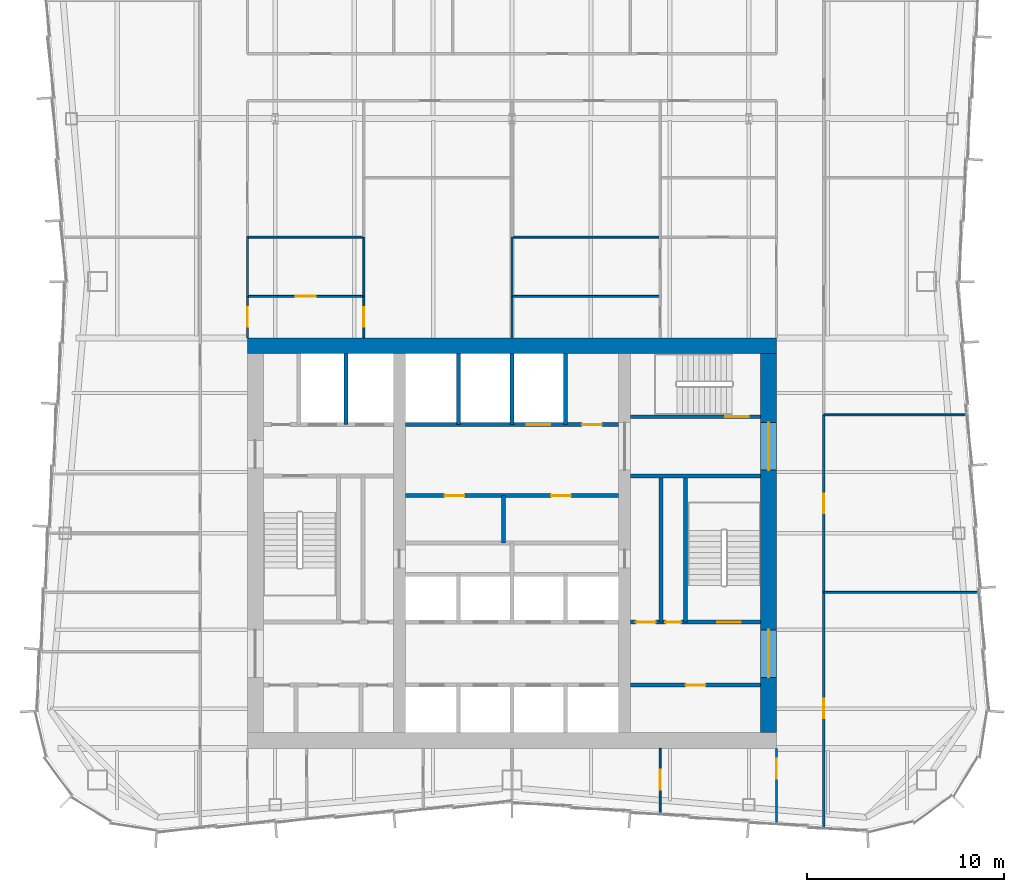
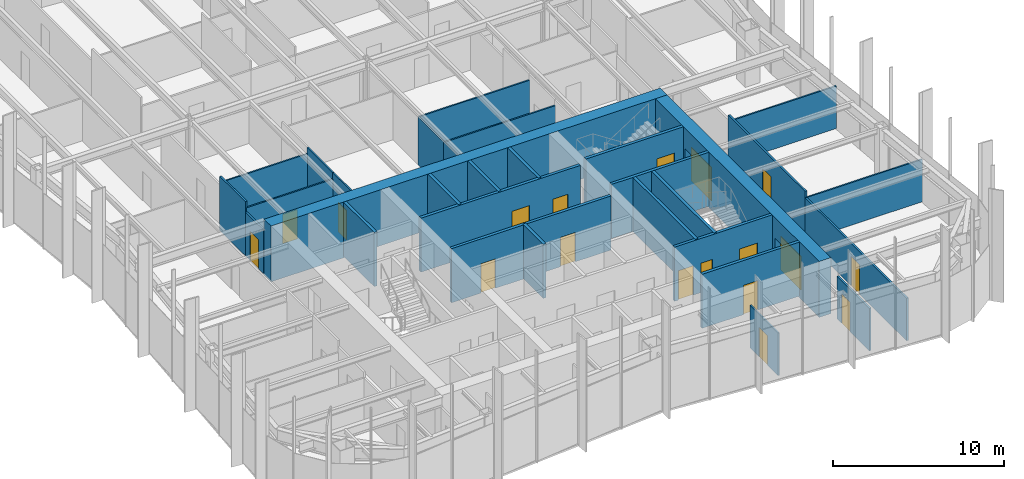
# One storey, part 12 of 15: 31 walls, 18 doors, 18 openings.
"""IFC4 building model written with IfcOpenShell, lengths in metres."""

import ifcopenshell
import ifcopenshell.guid

model = None  # the IFC model being written
_history = None  # IfcOwnerHistory: only IFC2X3 demands one
_inside = {}  # id of a spatial element -> (the spatial element, [elements in it])
_under = {}  # id of a project, library or spatial element -> (it, [spatial elements below it])
_declared = {}  # id of a project -> (the project, [libraries it declares])
_typed = {}  # id of a type object -> (the type object, [elements of that type])
_made_of = {}  # id of a material, layer set ... -> (it, [elements and type objects made of it])


def new_model(schema):
    """Start an empty IFC model of exactly this schema.

    Asked for "IFC4X3", IfcOpenShell would pick the latest addendum, in which some entities
    have other attributes; the version numbers below select the first issue.
    IFC2X3 requires an IfcOwnerHistory on every rooted entity: one is made here for all.
    """
    global model, _history
    if schema == "IFC4X3":
        model = ifcopenshell.file(schema_version=(4, 3, 0, 0))
    else:
        model = ifcopenshell.file(schema=schema)
    _inside.clear()
    _under.clear()
    _declared.clear()
    _typed.clear()
    _made_of.clear()
    _history = None
    if model.schema == "IFC2X3":
        org = make("IfcOrganization", Name="unknown")
        user = make(
            "IfcPersonAndOrganization",
            ThePerson=make("IfcPerson", FamilyName="unknown"),
            TheOrganization=org,
        )
        app = make(
            "IfcApplication",
            ApplicationDeveloper=org,
            Version="unknown",
            ApplicationFullName="unknown",
            ApplicationIdentifier="unknown",
        )
        _history = make(
            "IfcOwnerHistory",
            OwningUser=user,
            OwningApplication=app,
            ChangeAction="ADDED",
            CreationDate=0,
        )
    return model


def make(cls, **values):
    """One entity of the class cls with the attributes given. An attribute that is None is left unset."""
    return model.create_entity(
        cls, **{name: value for name, value in values.items() if value is not None}
    )


def rooted(cls, **values):
    """An entity with a GlobalId (a new one), such as an element, a storey or a relation."""
    return make(cls, GlobalId=ifcopenshell.guid.new(), OwnerHistory=_history, **values)


def si_unit(unit_type, name, prefix=None):
    """IfcSIUnit, for example si_unit("LENGTHUNIT", "METRE", prefix="MILLI")."""
    return make("IfcSIUnit", UnitType=unit_type, Prefix=prefix, Name=name)


def assignment(units):
    """IfcUnitAssignment: the units of a project."""
    return None if units is None else make("IfcUnitAssignment", Units=units)


def point(xyz):
    """IfcCartesianPoint."""
    return None if xyz is None else make("IfcCartesianPoint", Coordinates=xyz)


def direction(xyz):
    """IfcDirection."""
    return None if xyz is None else make("IfcDirection", DirectionRatios=xyz)


def frame(location, z_axis=None, x_axis=None):
    """IfcAxis2Placement3D, a coordinate frame: its origin and axes. An axis left out is left unset."""
    return make(
        "IfcAxis2Placement3D",
        Location=point(location),
        Axis=direction(z_axis),
        RefDirection=direction(x_axis),
    )


def frame_2d(location, x_axis=None):
    """IfcAxis2Placement2D, a coordinate frame in the plane: its origin and x axis."""
    return make(
        "IfcAxis2Placement2D", Location=point(location), RefDirection=direction(x_axis)
    )


def origin():
    """The frame at (0, 0, 0) with its axes left unset."""
    return frame((0.0, 0.0, 0.0))


def place(relative_to, where):
    """IfcLocalPlacement: puts the frame where relative to a parent placement (None: the world)."""
    return make(
        "IfcLocalPlacement", PlacementRelTo=relative_to, RelativePlacement=where
    )


def context(
    kind, dimensions, precision=None, world=None, true_north=None, identifier=None
):
    """IfcGeometricRepresentationContext, for example the 3D "Model" context."""
    return make(
        "IfcGeometricRepresentationContext",
        ContextIdentifier=identifier,
        ContextType=kind,
        CoordinateSpaceDimension=dimensions,
        Precision=precision,
        WorldCoordinateSystem=world,
        TrueNorth=true_north,
    )


def subcontext(parent, identifier, kind, view, scale=None):
    """IfcGeometricRepresentationSubContext, for example "Body" below "Model"."""
    return make(
        "IfcGeometricRepresentationSubContext",
        ContextIdentifier=identifier,
        ContextType=kind,
        ParentContext=parent,
        TargetScale=scale,
        TargetView=view,
    )


def project(units=None, contexts=None):
    """IfcProject with its units and contexts."""
    return rooted(
        "IfcProject",
        Name="project",
        RepresentationContexts=contexts,
        UnitsInContext=assignment(units),
    )


def spatial(cls, under=None, at=None, **own):
    """A site, building, storey or space (cls), placed at a placement, below another one or the project."""
    s = rooted(cls, ObjectPlacement=at, **own)
    if under is not None:
        _under.setdefault(under.id(), (under, []))[1].append(s)
    return s


def profile(cls, at=None, kind="AREA", **sizes):
    """A parametric profile (cls). Its sizes go by their IFC names, for example OverallWidth=200.0."""
    return make(cls, ProfileType=kind, Position=at, **sizes)


def rectangle(**sizes):
    """IfcRectangleProfileDef."""
    return profile("IfcRectangleProfileDef", **sizes)


def extrude(swept, where, along, depth):
    """IfcExtrudedAreaSolid: the profile swept, set in the frame where, extruded along a direction by depth."""
    return make(
        "IfcExtrudedAreaSolid",
        SweptArea=swept,
        Position=where,
        ExtrudedDirection=direction(along),
        Depth=depth,
    )


def shape(context_of_items, identifier, shape_type, items):
    """IfcShapeRepresentation: the items that make up one representation, for example the "Body"."""
    return make(
        "IfcShapeRepresentation",
        ContextOfItems=context_of_items,
        RepresentationIdentifier=identifier,
        RepresentationType=shape_type,
        Items=items,
    )


def material(Name=None, Category=None):
    """IfcMaterial."""
    return make("IfcMaterial", Name=Name, Category=Category)


def layer(
    of_material, thickness, ventilated=None, Name=None, Category=None, Priority=None
):
    """IfcMaterialLayer: one layer of a wall or slab, of a material (None: an air gap)."""
    return make(
        "IfcMaterialLayer",
        Material=of_material,
        LayerThickness=thickness,
        IsVentilated=ventilated,
        Name=Name,
        Category=Category,
        Priority=Priority,
    )


def layer_set(layers, Name=None):
    """IfcMaterialLayerSet."""
    return make("IfcMaterialLayerSet", MaterialLayers=layers, LayerSetName=Name)


def made_of(thing, what):
    """Note that an element or type object is made of a material, layer set ...; save() writes the relation."""
    if what is not None:
        _made_of.setdefault(what.id(), (what, []))[1].append(thing)
    return thing


def type_object(cls, material=None, **own):
    """A type object (cls), such as IfcWallType, which elements share."""
    return made_of(rooted(cls, **own), material)


def element(
    cls,
    number,
    at=None,
    inside=None,
    cuts=None,
    type_object=None,
    material=None,
    context=None,
    identifier="Body",
    shape_type=None,
    held_by="IfcProductDefinitionShape",
    body=None,
    shapes=None,
    **own,
):
    """One element of the class cls, such as IfcWall. Its Tag is "e" and its number.

    at: its placement. inside: the storey or other place that contains it. cuts: it is an
    opening in that element (IfcRelVoidsElement). A single representation is given by context,
    identifier, shape_type and body (its items); several are given by shapes. held_by: the class
    of the entity that holds the representations. save() writes the other relations.
    """
    e = rooted(cls, Tag="e%d" % number, ObjectPlacement=at, **own)
    if body is not None:
        shapes = [shape(context, identifier, shape_type, body)]
    if shapes is not None:
        e.Representation = make(held_by, Representations=shapes)
    if inside is not None:
        _inside.setdefault(inside.id(), (inside, []))[1].append(e)
    if cuts is not None:
        rooted(
            "IfcRelVoidsElement", RelatingBuildingElement=cuts, RelatedOpeningElement=e
        )
    if type_object is not None:
        _typed.setdefault(type_object.id(), (type_object, []))[1].append(e)
    return made_of(e, material)


def fill(opening, filler):
    """IfcRelFillsElement: the door or window that sits in an opening."""
    return rooted(
        "IfcRelFillsElement",
        RelatingOpeningElement=opening,
        RelatedBuildingElement=filler,
    )


def aggregate(whole, parts):
    """IfcRelAggregates: a whole, such as a stair, and the parts it consists of."""
    return rooted("IfcRelAggregates", RelatingObject=whole, RelatedObjects=parts)


def save(model, path):
    """Write the relations noted so far, then the file.

    IfcRelAggregates (storeys below a building ...), IfcRelContainedInSpatialStructure (elements
    in a storey), IfcRelDefinesByType, IfcRelAssociatesMaterial and IfcRelDeclares: one each for
    every whole, place, type object, material and project.
    """
    for whole, parts in _under.values():
        aggregate(whole, parts)
    for where, things in _inside.values():
        rooted(
            "IfcRelContainedInSpatialStructure",
            RelatedElements=things,
            RelatingStructure=where,
        )
    for kind, things in _typed.values():
        rooted("IfcRelDefinesByType", RelatedObjects=things, RelatingType=kind)
    for what, things in _made_of.values():
        rooted("IfcRelAssociatesMaterial", RelatedObjects=things, RelatingMaterial=what)
    for by, libraries in _declared.values():
        rooted("IfcRelDeclares", RelatingContext=by, RelatedDefinitions=libraries)
    model.write(path)


model = new_model("IFC4")

# Units and contexts
model_context = context("Model", 3, precision=1e-05, world=origin(), true_north=direction((0.0, 1.0)))
body_context = subcontext(model_context, "Body", "Model", "MODEL_VIEW")
ifc_project = project(units=[si_unit("LENGTHUNIT", "METRE"), si_unit("AREAUNIT", "SQUARE_METRE"), si_unit("VOLUMEUNIT", "CUBIC_METRE"), si_unit("PLANEANGLEUNIT", "RADIAN"), si_unit("MASSUNIT", "GRAM", prefix="KILO")], contexts=[model_context])

# Site, building, storey
site_placement = place(None, origin())
site = spatial("IfcSite", under=ifc_project, at=site_placement, CompositionType="ELEMENT")
building_placement = place(site_placement, origin())
building = spatial("IfcBuilding", under=site, at=building_placement, Name="Verdant Reach Tower", CompositionType="ELEMENT")
storey_placement = place(building_placement, frame((0.0, 0.0, 274.0)))
storey = spatial("IfcBuildingStorey", under=building, at=storey_placement, Name="L63", CompositionType="ELEMENT", Elevation=274.0)

# Wall, opening, door
ifc_material_1 = material(Name="Gypsum board on steel studs", Category="steel")
ifc_layer_1 = layer(ifc_material_1, 0.199951171875)
ifc_layer_set_1 = layer_set([ifc_layer_1], Name="CO-WALL-ROOM")
wall_type_1 = type_object("IfcWallType", Name="CO-WALL-ROOM", PredefinedType="PARTITIONING", material=ifc_layer_set_1)
wall_1_placement = place(storey_placement, frame((6.0, 20.800048828125, 0.0), z_axis=(0.0, 0.0, 1.0), x_axis=(1.0, 0.0, 0.0)))
wall_1 = element("IfcWall", 1, at=wall_1_placement, inside=storey, type_object=wall_type_1, Name="Core partition, L63", PredefinedType="PARTITIONING", context=body_context, shape_type="SweptSolid", body=[
    extrude(rectangle(XDim=6.60009765625, YDim=0.199951171875, at=frame_2d((3.300048828125, 0.0))), origin(), (0.0, 0.0, 1.0), 3.8701171875),
])
opening_1_placement = place(wall_1_placement, frame((2.800048828125, 0.0, 0.0)))
opening_1 = element("IfcOpeningElement", 2, at=opening_1_placement, cuts=wall_1, Name="Opening CD", PredefinedType="OPENING", context=body_context, shape_type="SweptSolid", body=[
    extrude(rectangle(XDim=1.0, YDim=2.10009765625, at=frame_2d((0.5, 1.050048828125))), frame((0.0, 0.10986328125, 0.0), z_axis=(0.0, -1.0, 0.0), x_axis=(1.0, 0.0, 0.0)), (0.0, 0.0, 1.0), 0.219970703125),
])
ifc_material_2 = material(Name="Timber", Category="wood")
door_type_1 = type_object("IfcDoorType", Name="CO-DOOR-ROOM", OperationType="NOTDEFINED", PredefinedType="DOOR", material=ifc_material_2)
door_1_placement = place(opening_1_placement, origin())
door_1 = element("IfcDoor", 3, at=door_1_placement, inside=storey, type_object=door_type_1, Name="Core room door, L63", OperationType="SINGLE_SWING_RIGHT", OverallHeight=2.10009765625, OverallWidth=1.0, PredefinedType="DOOR", context=body_context, shape_type="SweptSolid", body=[
    extrude(rectangle(XDim=1.0, YDim=2.10009765625, at=frame_2d((0.5, 1.050048828125))), frame((0.0, 0.02490234375, 0.0), z_axis=(0.0, -1.0, 0.0), x_axis=(1.0, 0.0, 0.0)), (0.0, 0.0, 1.0), 0.050048828125),
])
fill(opening_1, door_1)

# Wall, openings, doors
wall_2_placement = place(storey_placement, frame((-5.39990234375, 30.39990234375, 0.0), z_axis=(0.0, 0.0, 1.0), x_axis=(1.0, 0.0, 0.0)))
wall_2 = element("IfcWall", 4, at=wall_2_placement, inside=storey, type_object=wall_type_1, Name="Core partition, L63", PredefinedType="PARTITIONING", context=body_context, shape_type="SweptSolid", body=[
    extrude(rectangle(XDim=10.7998046875, YDim=0.199951171875, at=frame_2d((5.39990234375, 0.0))), origin(), (0.0, 0.0, 1.0), 3.8701171875),
])
opening_2_placement = place(wall_2_placement, frame((1.98388671875, 0.0, 0.0)))
opening_2 = element("IfcOpeningElement", 5, at=opening_2_placement, cuts=wall_2, Name="Opening CD", PredefinedType="OPENING", context=body_context, shape_type="SweptSolid", body=[
    extrude(rectangle(XDim=1.0, YDim=2.10009765625, at=frame_2d((0.5, 1.050048828125))), frame((0.0, 0.10986328125, 0.0), z_axis=(0.0, -1.0, 0.0), x_axis=(1.0, 0.0, 0.0)), (0.0, 0.0, 1.0), 0.219970703125),
])
opening_3_placement = place(wall_2_placement, frame((7.384033203125, 0.0, 0.0)))
opening_3 = element("IfcOpeningElement", 6, at=opening_3_placement, cuts=wall_2, Name="Opening CD", PredefinedType="OPENING", context=body_context, shape_type="SweptSolid", body=[
    extrude(rectangle(XDim=1.0, YDim=2.10009765625, at=frame_2d((0.5, 1.050048828125))), frame((0.0, 0.10986328125, 0.0), z_axis=(0.0, -1.0, 0.0), x_axis=(1.0, 0.0, 0.0)), (0.0, 0.0, 1.0), 0.219970703125),
])
door_2_placement = place(opening_2_placement, origin())
door_2 = element("IfcDoor", 7, at=door_2_placement, inside=storey, type_object=door_type_1, Name="Core room door, L63", OperationType="SINGLE_SWING_LEFT", OverallHeight=2.10009765625, OverallWidth=1.0, PredefinedType="DOOR", context=body_context, shape_type="SweptSolid", body=[
    extrude(rectangle(XDim=1.0, YDim=2.10009765625, at=frame_2d((0.5, 1.050048828125))), frame((0.0, 0.02490234375, 0.0), z_axis=(0.0, -1.0, 0.0), x_axis=(1.0, 0.0, 0.0)), (0.0, 0.0, 1.0), 0.050048828125),
])
fill(opening_2, door_2)
door_3_placement = place(opening_3_placement, origin())
door_3 = element("IfcDoor", 8, at=door_3_placement, inside=storey, type_object=door_type_1, Name="Core room door, L63", OperationType="SINGLE_SWING_RIGHT", OverallHeight=2.10009765625, OverallWidth=1.0, PredefinedType="DOOR", context=body_context, shape_type="SweptSolid", body=[
    extrude(rectangle(XDim=1.0, YDim=2.10009765625, at=frame_2d((0.5, 1.050048828125))), frame((0.0, 0.02490234375, 0.0), z_axis=(0.0, -1.0, 0.0), x_axis=(1.0, 0.0, 0.0)), (0.0, 0.0, 1.0), 0.050048828125),
])
fill(opening_3, door_3)

# Walls
wall_3_placement = place(storey_placement, frame((-0.431884765625, 28.0, 0.0), z_axis=(0.0, 0.0, 1.0), x_axis=(0.0, 1.0, 0.0)))
element("IfcWall", 9, at=wall_3_placement, inside=storey, type_object=wall_type_1, Name="Core partition, L63", PredefinedType="PARTITIONING", context=body_context, shape_type="SweptSolid", body=[
    extrude(rectangle(XDim=2.39990234375, YDim=0.199951171875, at=frame_2d((1.199951171875, 0.0))), origin(), (0.0, 0.0, 1.0), 3.8701171875),
])
wall_4_placement = place(storey_placement, frame((7.5400390625, 24.0, 0.0), z_axis=(0.0, 0.0, 1.0), x_axis=(0.0, 1.0, 0.0)))
element("IfcWall", 10, at=wall_4_placement, inside=storey, type_object=wall_type_1, Name="Core partition, L63", PredefinedType="PARTITIONING", context=body_context, shape_type="SweptSolid", body=[
    extrude(rectangle(XDim=7.39990234375, YDim=0.199951171875, at=frame_2d((3.699951171875, 0.0))), origin(), (0.0, 0.0, 1.0), 3.8701171875),
])

# Wall, openings, doors
ifc_material_3 = material(Name="Concrete C40/50", Category="concrete")
ifc_layer_2 = layer(ifc_material_3, 0.199951171875)
ifc_layer_set_2 = layer_set([ifc_layer_2], Name="CO-WALL-SHAFT")
wall_type_2 = type_object("IfcWallType", Name="CO-WALL-SHAFT", PredefinedType="PARTITIONING", material=ifc_layer_set_2)
wall_5_placement = place(storey_placement, frame((-5.39990234375, 34.0, 0.0), z_axis=(0.0, 0.0, 1.0), x_axis=(1.0, 0.0, 0.0)))
wall_5 = element("IfcWall", 11, at=wall_5_placement, inside=storey, type_object=wall_type_2, Name="Lift shaft wall, L63", PredefinedType="PARTITIONING", context=body_context, shape_type="SweptSolid", body=[
    extrude(rectangle(XDim=10.7998046875, YDim=0.199951171875, at=frame_2d((5.39990234375, 0.0))), origin(), (0.0, 0.0, 1.0), 3.8701171875),
])
opening_4_placement = place(wall_5_placement, frame((6.14990234375, 0.0, 0.0)))
opening_4 = element("IfcOpeningElement", 12, at=opening_4_placement, cuts=wall_5, Name="Opening LD-SL1", PredefinedType="OPENING", context=body_context, shape_type="SweptSolid", body=[
    extrude(rectangle(XDim=1.199951171875, YDim=2.199951171875, at=frame_2d((0.60009765625, 1.10009765625))), frame((0.0, 0.10986328125, 0.0), z_axis=(0.0, -1.0, 0.0), x_axis=(1.0, 0.0, 0.0)), (0.0, 0.0, 1.0), 0.219970703125),
])
opening_5_placement = place(wall_5_placement, frame((8.949951171875, 0.0, 0.0)))
opening_5 = element("IfcOpeningElement", 13, at=opening_5_placement, cuts=wall_5, Name="Opening CD", PredefinedType="OPENING", context=body_context, shape_type="SweptSolid", body=[
    extrude(rectangle(XDim=1.0, YDim=2.10009765625, at=frame_2d((0.5, 1.050048828125))), frame((0.0, 0.10986328125, 0.0), z_axis=(0.0, -1.0, 0.0), x_axis=(1.0, 0.0, 0.0)), (0.0, 0.0, 1.0), 0.219970703125),
])
ifc_material_4 = material(Name="Stainless steel", Category="steel")
door_type_2 = type_object("IfcDoorType", Name="CO-DOOR-LANDING", OperationType="SLIDING_TO_LEFT", PredefinedType="DOOR", material=ifc_material_4)
door_4_placement = place(opening_4_placement, origin())
door_4 = element("IfcDoor", 14, at=door_4_placement, inside=storey, type_object=door_type_2, Name="Landing door SL1, L63", OperationType="SLIDING_TO_LEFT", OverallHeight=2.199951171875, OverallWidth=1.199951171875, PredefinedType="DOOR", context=body_context, shape_type="SweptSolid", body=[
    extrude(rectangle(XDim=1.199951171875, YDim=2.199951171875, at=frame_2d((0.60009765625, 1.10009765625))), frame((0.0, 0.02490234375, 0.0), z_axis=(0.0, -1.0, 0.0), x_axis=(1.0, 0.0, 0.0)), (0.0, 0.0, 1.0), 0.050048828125),
])
fill(opening_4, door_4)
door_5_placement = place(opening_5_placement, origin())
door_5 = element("IfcDoor", 15, at=door_5_placement, inside=storey, type_object=door_type_1, Name="Core room door, L63", OperationType="SINGLE_SWING_LEFT", OverallHeight=2.10009765625, OverallWidth=1.0, PredefinedType="DOOR", context=body_context, shape_type="SweptSolid", body=[
    extrude(rectangle(XDim=1.0, YDim=2.10009765625, at=frame_2d((0.5, 1.050048828125))), frame((0.0, 0.02490234375, 0.0), z_axis=(0.0, -1.0, 0.0), x_axis=(1.0, 0.0, 0.0)), (0.0, 0.0, 1.0), 0.050048828125),
])
fill(opening_5, door_5)

# Walls
for number, where, z_axis, x_axis, name in (
    (16, (-8.39990234375, 34.0, 0.0), (0.0, 0.0, 1.0), (0.0, 1.0, 0.0), "Lift shaft wall, L63"),
    (17, (-2.699951171875, 34.0, 0.0), (0.0, 0.0, 1.0), (0.0, 1.0, 0.0), "Lift shaft wall, L63"),
    (18, (0.0, 34.0, 0.0), (0.0, 0.0, 1.0), (0.0, 1.0, 0.0), "Lift shaft wall, L63"),
    (19, (2.699951171875, 34.0, 0.0), (0.0, 0.0, 1.0), (0.0, 1.0, 0.0), "Lift shaft wall, L63"),
):
    element("IfcWall", number, at=place(storey_placement, frame(where, z_axis=z_axis, x_axis=x_axis)), inside=storey, type_object=wall_type_2, Name=name, PredefinedType="PARTITIONING", context=body_context, shape_type="SweptSolid", body=[
        extrude(rectangle(XDim=3.60009765625, YDim=0.199951171875, at=frame_2d((1.800048828125, 0.0))), origin(), (0.0, 0.0, 1.0), 3.8701171875),
    ])

# Wall, openings, doors
ifc_layer_3 = layer(ifc_material_3, 0.199951171875)
ifc_layer_set_3 = layer_set([ifc_layer_3], Name="CO-WALL-STAIR")
wall_type_3 = type_object("IfcWallType", Name="CO-WALL-STAIR", PredefinedType="PARTITIONING", material=ifc_layer_set_3)
wall_6_placement = place(storey_placement, frame((6.0, 24.0, 0.0), z_axis=(0.0, 0.0, 1.0), x_axis=(1.0, 0.0, 0.0)))
wall_6 = element("IfcWall", 20, at=wall_6_placement, inside=storey, type_object=wall_type_3, Name="Stair enclosure wall, L63", PredefinedType="PARTITIONING", context=body_context, shape_type="SweptSolid", body=[
    extrude(rectangle(XDim=6.60009765625, YDim=0.199951171875, at=frame_2d((3.300048828125, 0.0))), origin(), (0.0, 0.0, 1.0), 3.8701171875),
])
opening_6_placement = place(wall_6_placement, frame((0.27001953125, 0.0, 0.0)))
opening_6 = element("IfcOpeningElement", 21, at=opening_6_placement, cuts=wall_6, Name="Opening CD", PredefinedType="OPENING", context=body_context, shape_type="SweptSolid", body=[
    extrude(rectangle(XDim=1.0, YDim=2.10009765625, at=frame_2d((0.5, 1.050048828125))), frame((0.0, 0.10986328125, 0.0), z_axis=(0.0, -1.0, 0.0), x_axis=(1.0, 0.0, 0.0)), (0.0, 0.0, 1.0), 0.219970703125),
])
opening_7_placement = place(wall_6_placement, frame((1.77001953125, 0.0, 0.0)))
opening_7 = element("IfcOpeningElement", 22, at=opening_7_placement, cuts=wall_6, Name="Opening CDN", PredefinedType="OPENING", context=body_context, shape_type="SweptSolid", body=[
    extrude(rectangle(XDim=0.800048828125, YDim=2.10009765625, at=frame_2d((0.39990234375, 1.050048828125))), frame((0.0, 0.10986328125, 0.0), z_axis=(0.0, -1.0, 0.0), x_axis=(1.0, 0.0, 0.0)), (0.0, 0.0, 1.0), 0.219970703125),
])
opening_8_placement = place(wall_6_placement, frame((4.39990234375, 0.0, 0.0)))
opening_8 = element("IfcOpeningElement", 23, at=opening_8_placement, cuts=wall_6, Name="Opening SD", PredefinedType="OPENING", context=body_context, shape_type="SweptSolid", body=[
    extrude(rectangle(XDim=1.199951171875, YDim=2.199951171875, at=frame_2d((0.60009765625, 1.10009765625))), frame((0.0, 0.10986328125, 0.0), z_axis=(0.0, -1.0, 0.0), x_axis=(1.0, 0.0, 0.0)), (0.0, 0.0, 1.0), 0.219970703125),
])
door_6_placement = place(opening_6_placement, origin())
door_6 = element("IfcDoor", 24, at=door_6_placement, inside=storey, type_object=door_type_1, Name="Core room door, L63", OperationType="SINGLE_SWING_RIGHT", OverallHeight=2.10009765625, OverallWidth=1.0, PredefinedType="DOOR", context=body_context, shape_type="SweptSolid", body=[
    extrude(rectangle(XDim=1.0, YDim=2.10009765625, at=frame_2d((0.5, 1.050048828125))), frame((0.0, 0.02490234375, 0.0), z_axis=(0.0, -1.0, 0.0), x_axis=(1.0, 0.0, 0.0)), (0.0, 0.0, 1.0), 0.050048828125),
])
fill(opening_6, door_6)
door_type_3 = type_object("IfcDoorType", Name="CO-DOOR-ROOM-NARROW", OperationType="NOTDEFINED", PredefinedType="DOOR", material=ifc_material_2)
door_7_placement = place(opening_7_placement, origin())
door_7 = element("IfcDoor", 25, at=door_7_placement, inside=storey, type_object=door_type_3, Name="Core room door, L63", OperationType="SINGLE_SWING_LEFT", OverallHeight=2.10009765625, OverallWidth=0.800048828125, PredefinedType="DOOR", context=body_context, shape_type="SweptSolid", body=[
    extrude(rectangle(XDim=0.800048828125, YDim=2.10009765625, at=frame_2d((0.39990234375, 1.050048828125))), frame((0.0, 0.02490234375, 0.0), z_axis=(0.0, -1.0, 0.0), x_axis=(1.0, 0.0, 0.0)), (0.0, 0.0, 1.0), 0.050048828125),
])
fill(opening_7, door_7)
ifc_material_5 = material(Name="Steel", Category="steel")
door_type_4 = type_object("IfcDoorType", Name="CO-DOOR-STAIR", OperationType="NOTDEFINED", PredefinedType="DOOR", material=ifc_material_5)
door_8_placement = place(opening_8_placement, origin())
door_8 = element("IfcDoor", 26, at=door_8_placement, inside=storey, type_object=door_type_4, Name="Stair door, L63", OperationType="SINGLE_SWING_RIGHT", OverallHeight=2.199951171875, OverallWidth=1.199951171875, PredefinedType="DOOR", context=body_context, shape_type="SweptSolid", body=[
    extrude(rectangle(XDim=1.199951171875, YDim=2.199951171875, at=frame_2d((0.60009765625, 1.10009765625))), frame((0.0, 0.02490234375, 0.0), z_axis=(0.0, -1.0, 0.0), x_axis=(1.0, 0.0, 0.0)), (0.0, 0.0, 1.0), 0.050048828125),
])
fill(opening_8, door_8)

# Wall
wall_7_placement = place(storey_placement, frame((6.0, 31.39990234375, 0.0), z_axis=(0.0, 0.0, 1.0), x_axis=(1.0, 0.0, 0.0)))
element("IfcWall", 27, at=wall_7_placement, inside=storey, type_object=wall_type_3, Name="Stair enclosure wall, L63", PredefinedType="PARTITIONING", context=body_context, shape_type="SweptSolid", body=[
    extrude(rectangle(XDim=6.60009765625, YDim=0.199951171875, at=frame_2d((3.300048828125, 0.0))), origin(), (0.0, 0.0, 1.0), 3.8701171875),
])

# Wall, opening, door
wall_8_placement = place(storey_placement, frame((6.0, 34.39990234375, 0.0), z_axis=(0.0, 0.0, 1.0), x_axis=(1.0, 0.0, 0.0)))
wall_8 = element("IfcWall", 28, at=wall_8_placement, inside=storey, type_object=wall_type_3, Name="Stair enclosure wall, L63", PredefinedType="PARTITIONING", context=body_context, shape_type="SweptSolid", body=[
    extrude(rectangle(XDim=6.60009765625, YDim=0.199951171875, at=frame_2d((3.300048828125, 0.0))), origin(), (0.0, 0.0, 1.0), 3.8701171875),
])
opening_9_placement = place(wall_8_placement, frame((4.800048828125, 0.0, 0.0)))
opening_9 = element("IfcOpeningElement", 29, at=opening_9_placement, cuts=wall_8, Name="Opening SD", PredefinedType="OPENING", context=body_context, shape_type="SweptSolid", body=[
    extrude(rectangle(XDim=1.199951171875, YDim=2.199951171875, at=frame_2d((0.60009765625, 1.10009765625))), frame((0.0, 0.10986328125, 0.0), z_axis=(0.0, -1.0, 0.0), x_axis=(1.0, 0.0, 0.0)), (0.0, 0.0, 1.0), 0.219970703125),
])
door_9_placement = place(opening_9_placement, origin())
door_9 = element("IfcDoor", 30, at=door_9_placement, inside=storey, type_object=door_type_4, Name="Stair door, L63", OperationType="SINGLE_SWING_LEFT", OverallHeight=2.199951171875, OverallWidth=1.199951171875, PredefinedType="DOOR", context=body_context, shape_type="SweptSolid", body=[
    extrude(rectangle(XDim=1.199951171875, YDim=2.199951171875, at=frame_2d((0.60009765625, 1.10009765625))), frame((0.0, 0.02490234375, 0.0), z_axis=(0.0, -1.0, 0.0), x_axis=(1.0, 0.0, 0.0)), (0.0, 0.0, 1.0), 0.050048828125),
])
fill(opening_9, door_9)

# Walls
wall_9_placement = place(storey_placement, frame((8.800048828125, 24.0, 0.0), z_axis=(0.0, 0.0, 1.0), x_axis=(0.0, 1.0, 0.0)))
element("IfcWall", 31, at=wall_9_placement, inside=storey, type_object=wall_type_3, Name="Stair enclosure wall, L63", PredefinedType="PARTITIONING", context=body_context, shape_type="SweptSolid", body=[
    extrude(rectangle(XDim=7.39990234375, YDim=0.199951171875, at=frame_2d((3.699951171875, 0.0))), origin(), (0.0, 0.0, 1.0), 3.8701171875),
])
ifc_layer_4 = layer(ifc_material_1, 0.10009765625)
ifc_layer_set_4 = layer_set([ifc_layer_4], Name="FL-W1 Partition 100")
wall_type_4 = type_object("IfcWallType", Name="FL-W1 Partition 100", PredefinedType="PARTITIONING", material=ifc_layer_set_4)
wall_10_placement = place(storey_placement, frame((23.666259765625, 25.5, 0.0), z_axis=(0.0, 0.0, 1.0), x_axis=(-1.0, 0.0, 0.0)))
element("IfcWall", 32, at=wall_10_placement, inside=storey, type_object=wall_type_4, Name="Partition 63.39", PredefinedType="PARTITIONING", context=body_context, shape_type="SweptSolid", body=[
    extrude(rectangle(XDim=7.8662109375, YDim=0.10009765625, at=frame_2d((3.93310546875, 0.0))), origin(), (0.0, 0.0, 1.0), 3.0400390625),
])
wall_11_placement = place(storey_placement, frame((23.04541015625, 34.5, 0.0), z_axis=(0.0, 0.0, 1.0), x_axis=(-1.0, 0.0, 0.0)))
element("IfcWall", 33, at=wall_11_placement, inside=storey, type_object=wall_type_4, Name="Partition 63.40", PredefinedType="PARTITIONING", context=body_context, shape_type="SweptSolid", body=[
    extrude(rectangle(XDim=7.245361328125, YDim=0.10009765625, at=frame_2d((3.62255859375, 0.0))), origin(), (0.0, 0.0, 1.0), 3.0400390625),
])

# Wall, opening, door
wall_12_placement = place(storey_placement, frame((7.5, 14.294921875, 0.0), z_axis=(0.0, 0.0, 1.0), x_axis=(0.0, 1.0, 0.0)))
wall_12 = element("IfcWall", 34, at=wall_12_placement, inside=storey, type_object=wall_type_4, Name="Partition 63.46", PredefinedType="PARTITIONING", context=body_context, shape_type="SweptSolid", body=[
    extrude(rectangle(XDim=3.30517578125, YDim=0.10009765625, at=frame_2d((1.652587890625, 0.0))), origin(), (0.0, 0.0, 1.0), 3.0400390625),
])
opening_10_placement = place(wall_12_placement, frame((1.217529296875, 0.0, 0.0)))
opening_10 = element("IfcOpeningElement", 35, at=opening_10_placement, cuts=wall_12, Name="Opening D3", PredefinedType="OPENING", context=body_context, shape_type="SweptSolid", body=[
    extrude(rectangle(XDim=1.0, YDim=2.10009765625, at=frame_2d((0.5, 1.050048828125))), frame((0.0, 0.06005859375, 0.0), z_axis=(0.0, -1.0, 0.0), x_axis=(1.0, 0.0, 0.0)), (0.0, 0.0, 1.0), 0.1201171875),
])
ifc_material_6 = material(Name="Painted timber door leaf", Category="wood")
door_type_5 = type_object("IfcDoorType", Name="FL-D3 Door 1000x2100", OperationType="NOTDEFINED", PredefinedType="DOOR", material=ifc_material_6)
door_10_placement = place(opening_10_placement, origin())
door_10 = element("IfcDoor", 36, at=door_10_placement, inside=storey, type_object=door_type_5, Name="Door 63-028", OperationType="SINGLE_SWING_RIGHT", OverallHeight=2.10009765625, OverallWidth=1.0, PredefinedType="DOOR", context=body_context, shape_type="SweptSolid", body=[
    extrude(rectangle(XDim=1.0, YDim=2.10009765625, at=frame_2d((0.5, 1.050048828125))), frame((0.0, 0.02490234375, 0.0), z_axis=(0.0, -1.0, 0.0), x_axis=(1.0, 0.0, 0.0)), (0.0, 0.0, 1.0), 0.050048828125),
])
fill(opening_10, door_10)

wall_13_placement = place(storey_placement, frame((-13.39990234375, 40.5, 0.0), z_axis=(0.0, 0.0, 1.0), x_axis=(1.0, 0.0, 0.0)))
wall_13 = element("IfcWall", 37, at=wall_13_placement, inside=storey, type_object=wall_type_4, Name="Partition 63.47", PredefinedType="PARTITIONING", context=body_context, shape_type="SweptSolid", body=[
    extrude(rectangle(XDim=5.89990234375, YDim=0.10009765625, at=frame_2d((2.949951171875, 0.0))), origin(), (0.0, 0.0, 1.0), 3.43994140625),
])
opening_11_placement = place(wall_13_placement, frame((2.449951171875, 0.0, 0.0)))
opening_11 = element("IfcOpeningElement", 38, at=opening_11_placement, cuts=wall_13, Name="Opening D3", PredefinedType="OPENING", context=body_context, shape_type="SweptSolid", body=[
    extrude(rectangle(XDim=1.0, YDim=2.10009765625, at=frame_2d((0.5, 1.050048828125))), frame((0.0, 0.06005859375, 0.0), z_axis=(0.0, -1.0, 0.0), x_axis=(1.0, 0.0, 0.0)), (0.0, 0.0, 1.0), 0.1201171875),
])
door_11_placement = place(opening_11_placement, origin())
door_11 = element("IfcDoor", 39, at=door_11_placement, inside=storey, type_object=door_type_5, Name="Door 63-029", OperationType="SINGLE_SWING_LEFT", OverallHeight=2.10009765625, OverallWidth=1.0, PredefinedType="DOOR", context=body_context, shape_type="SweptSolid", body=[
    extrude(rectangle(XDim=1.0, YDim=2.10009765625, at=frame_2d((0.5, 1.050048828125))), frame((0.0, 0.02490234375, 0.0), z_axis=(0.0, -1.0, 0.0), x_axis=(1.0, 0.0, 0.0)), (0.0, 0.0, 1.0), 0.050048828125),
])
fill(opening_11, door_11)

wall_14_placement = place(storey_placement, frame((-7.5, 40.50390625, 0.0), z_axis=(0.0, 0.0, 1.0), x_axis=(0.0, -1.0, 0.0)))
wall_14 = element("IfcWall", 40, at=wall_14_placement, inside=storey, type_object=wall_type_4, Name="Partition 63.48", PredefinedType="PARTITIONING", context=body_context, shape_type="SweptSolid", body=[
    extrude(rectangle(XDim=2.10400390625, YDim=0.10009765625, at=frame_2d((1.052001953125, 0.0))), origin(), (0.0, 0.0, 1.0), 3.8701171875),
])
opening_12_placement = place(wall_14_placement, frame((0.552001953125, 0.0, 0.0)))
opening_12 = element("IfcOpeningElement", 41, at=opening_12_placement, cuts=wall_14, Name="Opening D3", PredefinedType="OPENING", context=body_context, shape_type="SweptSolid", body=[
    extrude(rectangle(XDim=1.0, YDim=2.10009765625, at=frame_2d((0.5, 1.050048828125))), frame((0.0, 0.06005859375, 0.0), z_axis=(0.0, -1.0, 0.0), x_axis=(1.0, 0.0, 0.0)), (0.0, 0.0, 1.0), 0.1201171875),
])
door_12_placement = place(opening_12_placement, origin())
door_12 = element("IfcDoor", 42, at=door_12_placement, inside=storey, type_object=door_type_5, Name="Door 63-030", OperationType="SINGLE_SWING_RIGHT", OverallHeight=2.10009765625, OverallWidth=1.0, PredefinedType="DOOR", context=body_context, shape_type="SweptSolid", body=[
    extrude(rectangle(XDim=1.0, YDim=2.10009765625, at=frame_2d((0.5, 1.050048828125))), frame((0.0, 0.02490234375, 0.0), z_axis=(0.0, -1.0, 0.0), x_axis=(1.0, 0.0, 0.0)), (0.0, 0.0, 1.0), 0.050048828125),
])
fill(opening_12, door_12)

# Walls
wall_15_placement = place(storey_placement, frame((-7.5, 43.5, 0.0), z_axis=(0.0, 0.0, 1.0), x_axis=(-1.0, 0.0, 0.0)))
element("IfcWall", 43, at=wall_15_placement, inside=storey, type_object=wall_type_4, Name="Partition 63.49", PredefinedType="PARTITIONING", context=body_context, shape_type="SweptSolid", body=[
    extrude(rectangle(XDim=5.89990234375, YDim=0.10009765625, at=frame_2d((2.949951171875, 0.0))), origin(), (0.0, 0.0, 1.0), 3.43994140625),
])
wall_16_placement = place(storey_placement, frame((-7.5, 40.49609375, 0.0), z_axis=(0.0, 0.0, 1.0), x_axis=(0.0, 1.0, 0.0)))
element("IfcWall", 44, at=wall_16_placement, inside=storey, type_object=wall_type_4, Name="Partition 63.50", PredefinedType="PARTITIONING", context=body_context, shape_type="SweptSolid", body=[
    extrude(rectangle(XDim=3.0078125, YDim=0.10009765625, at=frame_2d((1.50390625, 0.0))), origin(), (0.0, 0.0, 1.0), 3.8701171875),
])
wall_17_placement = place(storey_placement, frame((0.0, 38.39990234375, 0.0), z_axis=(0.0, 0.0, 1.0), x_axis=(0.0, 1.0, 0.0)))
element("IfcWall", 45, at=wall_17_placement, inside=storey, type_object=wall_type_4, Name="Partition 63.54", PredefinedType="PARTITIONING", context=body_context, shape_type="SweptSolid", body=[
    extrude(rectangle(XDim=2.10009765625, YDim=0.10009765625, at=frame_2d((1.050048828125, 0.0))), origin(), (0.0, 0.0, 1.0), 3.43994140625),
])
wall_18_placement = place(storey_placement, frame((0.0, 40.5, 0.0), z_axis=(0.0, 0.0, 1.0), x_axis=(0.0, 1.0, 0.0)))
element("IfcWall", 46, at=wall_18_placement, inside=storey, type_object=wall_type_4, Name="Partition 63.55", PredefinedType="PARTITIONING", context=body_context, shape_type="SweptSolid", body=[
    extrude(rectangle(XDim=3.0, YDim=0.10009765625, at=frame_2d((1.5, 0.0))), origin(), (0.0, 0.0, 1.0), 3.43994140625),
])
for number, where, z_axis, x_axis, name in (
    (47, (7.5, 40.5, 0.0), (0.0, 0.0, 1.0), (-1.0, 0.0, 0.0), "Partition 63.64"),
    (48, (7.5, 43.5, 0.0), (0.0, 0.0, 1.0), (-1.0, 0.0, 0.0), "Partition 63.65"),
):
    element("IfcWall", number, at=place(storey_placement, frame(where, z_axis=z_axis, x_axis=x_axis)), inside=storey, type_object=wall_type_4, Name=name, PredefinedType="PARTITIONING", context=body_context, shape_type="SweptSolid", body=[
        extrude(rectangle(XDim=7.5, YDim=0.10009765625, at=frame_2d((3.75, 0.0))), origin(), (0.0, 0.0, 1.0), 3.43994140625),
    ])

# Wall, opening, door
ifc_material_7 = material(Name="Gypsum board on steel studs, fire rated", Category="steel")
ifc_layer_5 = layer(ifc_material_7, 0.125)
ifc_layer_set_5 = layer_set([ifc_layer_5], Name="FL-W2 Corridor wall 125")
wall_type_5 = type_object("IfcWallType", Name="FL-W2 Corridor wall 125", PredefinedType="PARTITIONING", material=ifc_layer_set_5)
wall_19_placement = place(storey_placement, frame((15.800048828125, 25.5, 0.0), z_axis=(0.0, 0.0, 1.0), x_axis=(0.0, -1.0, 0.0)))
wall_19 = element("IfcWall", 49, at=wall_19_placement, inside=storey, type_object=wall_type_5, Name="Partition 63.08", PredefinedType="PARTITIONING", context=body_context, shape_type="SweptSolid", body=[
    extrude(rectangle(XDim=11.896728515625, YDim=0.125, at=frame_2d((5.9482421875, 0.0))), origin(), (0.0, 0.0, 1.0), 3.0400390625),
])
opening_13_placement = place(wall_19_placement, frame((5.38330078125, 0.0, 0.0)))
opening_13 = element("IfcOpeningElement", 50, at=opening_13_placement, cuts=wall_19, Name="Opening D2", PredefinedType="OPENING", context=body_context, shape_type="SweptSolid", body=[
    extrude(rectangle(XDim=1.0, YDim=2.10009765625, at=frame_2d((0.5, 1.050048828125))), frame((0.0, 0.072509765625, 0.0), z_axis=(0.0, -1.0, 0.0), x_axis=(1.0, 0.0, 0.0)), (0.0, 0.0, 1.0), 0.14501953125),
])
ifc_material_8 = material(Name="Timber door leaf, fire rated", Category="wood")
door_type_6 = type_object("IfcDoorType", Name="FL-D2 Entrance door 1000x2100 FD30", OperationType="NOTDEFINED", PredefinedType="DOOR", material=ifc_material_8)
door_13_placement = place(opening_13_placement, origin())
door_13 = element("IfcDoor", 51, at=door_13_placement, inside=storey, type_object=door_type_6, Name="Door 63-008", OperationType="SINGLE_SWING_LEFT", OverallHeight=2.10009765625, OverallWidth=1.0, PredefinedType="DOOR", context=body_context, shape_type="SweptSolid", body=[
    extrude(rectangle(XDim=1.0, YDim=2.10009765625, at=frame_2d((0.5, 1.050048828125))), frame((0.0, 0.02490234375, 0.0), z_axis=(0.0, -1.0, 0.0), x_axis=(1.0, 0.0, 0.0)), (0.0, 0.0, 1.0), 0.050048828125),
])
fill(opening_13, door_13)

wall_20_placement = place(storey_placement, frame((15.800048828125, 34.5, 0.0), z_axis=(0.0, 0.0, 1.0), x_axis=(0.0, -1.0, 0.0)))
wall_20 = element("IfcWall", 52, at=wall_20_placement, inside=storey, type_object=wall_type_5, Name="Partition 63.09", PredefinedType="PARTITIONING", context=body_context, shape_type="SweptSolid", body=[
    extrude(rectangle(XDim=9.0, YDim=0.125, at=frame_2d((4.5, 0.0))), origin(), (0.0, 0.0, 1.0), 3.47998046875),
])
opening_14_placement = place(wall_20_placement, frame((4.0, 0.0, 0.0)))
opening_14 = element("IfcOpeningElement", 53, at=opening_14_placement, cuts=wall_20, Name="Opening D2", PredefinedType="OPENING", context=body_context, shape_type="SweptSolid", body=[
    extrude(rectangle(XDim=1.0, YDim=2.10009765625, at=frame_2d((0.5, 1.050048828125))), frame((0.0, 0.072509765625, 0.0), z_axis=(0.0, -1.0, 0.0), x_axis=(1.0, 0.0, 0.0)), (0.0, 0.0, 1.0), 0.14501953125),
])
door_14_placement = place(opening_14_placement, origin())
door_14 = element("IfcDoor", 54, at=door_14_placement, inside=storey, type_object=door_type_6, Name="Door 63-009", OperationType="SINGLE_SWING_LEFT", OverallHeight=2.10009765625, OverallWidth=1.0, PredefinedType="DOOR", context=body_context, shape_type="SweptSolid", body=[
    extrude(rectangle(XDim=1.0, YDim=2.10009765625, at=frame_2d((0.5, 1.050048828125))), frame((0.0, 0.02490234375, 0.0), z_axis=(0.0, -1.0, 0.0), x_axis=(1.0, 0.0, 0.0)), (0.0, 0.0, 1.0), 0.050048828125),
])
fill(opening_14, door_14)

wall_21_placement = place(storey_placement, frame((13.39990234375, 13.80322265625, 0.0), z_axis=(0.0, 0.0, 1.0), x_axis=(0.0, 1.0, 0.0)))
wall_21 = element("IfcWall", 55, at=wall_21_placement, inside=storey, type_object=wall_type_5, Name="Partition 63.14", PredefinedType="PARTITIONING", context=body_context, shape_type="SweptSolid", body=[
    extrude(rectangle(XDim=3.796875, YDim=0.125, at=frame_2d((1.8984375, 0.0))), origin(), (0.0, 0.0, 1.0), 3.0400390625),
])
opening_15_placement = place(wall_21_placement, frame((2.263427734375, 0.0, 0.0)))
opening_15 = element("IfcOpeningElement", 56, at=opening_15_placement, cuts=wall_21, Name="Opening D2", PredefinedType="OPENING", context=body_context, shape_type="SweptSolid", body=[
    extrude(rectangle(XDim=1.0, YDim=2.10009765625, at=frame_2d((0.5, 1.050048828125))), frame((0.0, 0.072509765625, 0.0), z_axis=(0.0, -1.0, 0.0), x_axis=(1.0, 0.0, 0.0)), (0.0, 0.0, 1.0), 0.14501953125),
])
door_15_placement = place(opening_15_placement, origin())
door_15 = element("IfcDoor", 57, at=door_15_placement, inside=storey, type_object=door_type_6, Name="Door 63-014", OperationType="SINGLE_SWING_RIGHT", OverallHeight=2.10009765625, OverallWidth=1.0, PredefinedType="DOOR", context=body_context, shape_type="SweptSolid", body=[
    extrude(rectangle(XDim=1.0, YDim=2.10009765625, at=frame_2d((0.5, 1.050048828125))), frame((0.0, 0.02490234375, 0.0), z_axis=(0.0, -1.0, 0.0), x_axis=(1.0, 0.0, 0.0)), (0.0, 0.0, 1.0), 0.050048828125),
])
fill(opening_15, door_15)

wall_22_placement = place(storey_placement, frame((-13.39990234375, 40.5, 0.0), z_axis=(0.0, 0.0, 1.0), x_axis=(0.0, -1.0, 0.0)))
wall_22 = element("IfcWall", 58, at=wall_22_placement, inside=storey, type_object=wall_type_5, Name="Partition 63.15", PredefinedType="PARTITIONING", context=body_context, shape_type="SweptSolid", body=[
    extrude(rectangle(XDim=2.10009765625, YDim=0.125, at=frame_2d((1.050048828125, 0.0))), origin(), (0.0, 0.0, 1.0), 3.139892578125),
])
opening_16_placement = place(wall_22_placement, frame((0.550048828125, 0.0, 0.0)))
opening_16 = element("IfcOpeningElement", 59, at=opening_16_placement, cuts=wall_22, Name="Opening D2", PredefinedType="OPENING", context=body_context, shape_type="SweptSolid", body=[
    extrude(rectangle(XDim=1.0, YDim=2.10009765625, at=frame_2d((0.5, 1.050048828125))), frame((0.0, 0.072509765625, 0.0), z_axis=(0.0, -1.0, 0.0), x_axis=(1.0, 0.0, 0.0)), (0.0, 0.0, 1.0), 0.14501953125),
])
door_16_placement = place(opening_16_placement, origin())
door_16 = element("IfcDoor", 60, at=door_16_placement, inside=storey, type_object=door_type_6, Name="Door 63-015", OperationType="SINGLE_SWING_LEFT", OverallHeight=2.10009765625, OverallWidth=1.0, PredefinedType="DOOR", context=body_context, shape_type="SweptSolid", body=[
    extrude(rectangle(XDim=1.0, YDim=2.10009765625, at=frame_2d((0.5, 1.050048828125))), frame((0.0, 0.02490234375, 0.0), z_axis=(0.0, -1.0, 0.0), x_axis=(1.0, 0.0, 0.0)), (0.0, 0.0, 1.0), 0.050048828125),
])
fill(opening_16, door_16)

# Walls
wall_23_placement = place(storey_placement, frame((-13.39990234375, 40.5, 0.0), z_axis=(0.0, 0.0, 1.0), x_axis=(0.0, 1.0, 0.0)))
element("IfcWall", 61, at=wall_23_placement, inside=storey, type_object=wall_type_5, Name="Partition 63.16", PredefinedType="PARTITIONING", context=body_context, shape_type="SweptSolid", body=[
    extrude(rectangle(XDim=3.0, YDim=0.125, at=frame_2d((1.5, 0.0))), origin(), (0.0, 0.0, 1.0), 3.8701171875),
])
ifc_material_9 = material(Name="Concrete C70/85", Category="concrete")
ifc_layer_6 = layer(ifc_material_9, 0.800048828125)
ifc_layer_set_6 = layer_set([ifc_layer_6], Name="ST-CORE-WALL-800")
wall_type_6 = type_object("IfcWallType", Name="ST-CORE-WALL-800", PredefinedType="SHEAR", material=ifc_layer_set_6)
wall_24_placement = place(storey_placement, frame((-13.39990234375, 38.0, -0.1298828125), z_axis=(0.0, 0.0, 1.0), x_axis=(1.0, 0.0, 0.0)))
element("IfcWall", 62, at=wall_24_placement, inside=storey, type_object=wall_type_6, Name="Core wall N, L63", PredefinedType="SHEAR", context=body_context, shape_type="SweptSolid", body=[
    extrude(rectangle(XDim=26.7998046875, YDim=0.800048828125, at=frame_2d((13.39990234375, 0.0))), origin(), (0.0, 0.0, 1.0), 4.0),
])

# Wall, openings, doors
wall_25_placement = place(storey_placement, frame((13.0, 18.39990234375, -0.1298828125), z_axis=(0.0, 0.0, 1.0), x_axis=(0.0, 1.0, 0.0)))
wall_25 = element("IfcWall", 63, at=wall_25_placement, inside=storey, type_object=wall_type_6, Name="Core wall E, L63", PredefinedType="SHEAR", context=body_context, shape_type="SweptSolid", body=[
    extrude(rectangle(XDim=19.2001953125, YDim=0.800048828125, at=frame_2d((9.60009765625, 0.0))), origin(), (0.0, 0.0, 1.0), 4.0),
])
opening_17_placement = place(wall_25_placement, frame((2.800048828125, 0.0, 0.1298828125)))
opening_17 = element("IfcOpeningElement", 64, at=opening_17_placement, cuts=wall_25, Name="Opening LB", PredefinedType="OPENING", context=body_context, shape_type="SweptSolid", body=[
    extrude(rectangle(XDim=2.39990234375, YDim=2.39990234375, at=frame_2d((1.199951171875, 1.199951171875))), frame((0.0, 0.409912109375, 0.0), z_axis=(0.0, -1.0, 0.0), x_axis=(1.0, 0.0, 0.0)), (0.0, 0.0, 1.0), 0.820068359375),
])
opening_18_placement = place(wall_25_placement, frame((13.300048828125, 0.0, 0.1298828125)))
opening_18 = element("IfcOpeningElement", 65, at=opening_18_placement, cuts=wall_25, Name="Opening LB", PredefinedType="OPENING", context=body_context, shape_type="SweptSolid", body=[
    extrude(rectangle(XDim=2.39990234375, YDim=2.39990234375, at=frame_2d((1.199951171875, 1.199951171875))), frame((0.0, 0.409912109375, 0.0), z_axis=(0.0, -1.0, 0.0), x_axis=(1.0, 0.0, 0.0)), (0.0, 0.0, 1.0), 0.820068359375),
])
ifc_material_10 = material(Name="Glass and steel", Category="steel")
door_type_7 = type_object("IfcDoorType", Name="CO-DOOR-LOBBY", OperationType="DOUBLE_DOOR_SINGLE_SWING", PredefinedType="DOOR", material=ifc_material_10)
door_17_placement = place(opening_17_placement, origin())
door_17 = element("IfcDoor", 66, at=door_17_placement, inside=storey, type_object=door_type_7, Name="Core entrance door, L63", OperationType="DOUBLE_DOOR_SINGLE_SWING", OverallHeight=2.39990234375, OverallWidth=2.39990234375, PredefinedType="DOOR", context=body_context, shape_type="SweptSolid", body=[
    extrude(rectangle(XDim=2.39990234375, YDim=2.39990234375, at=frame_2d((1.199951171875, 1.199951171875))), frame((0.0, 0.02490234375, 0.0), z_axis=(0.0, -1.0, 0.0), x_axis=(1.0, 0.0, 0.0)), (0.0, 0.0, 1.0), 0.050048828125),
])
fill(opening_17, door_17)
door_18_placement = place(opening_18_placement, origin())
door_18 = element("IfcDoor", 67, at=door_18_placement, inside=storey, type_object=door_type_7, Name="Core entrance door, L63", OperationType="DOUBLE_DOOR_SINGLE_SWING", OverallHeight=2.39990234375, OverallWidth=2.39990234375, PredefinedType="DOOR", context=body_context, shape_type="SweptSolid", body=[
    extrude(rectangle(XDim=2.39990234375, YDim=2.39990234375, at=frame_2d((1.199951171875, 1.199951171875))), frame((0.0, 0.02490234375, 0.0), z_axis=(0.0, -1.0, 0.0), x_axis=(1.0, 0.0, 0.0)), (0.0, 0.0, 1.0), 0.050048828125),
])
fill(opening_18, door_18)

save(model, "model.ifc")
